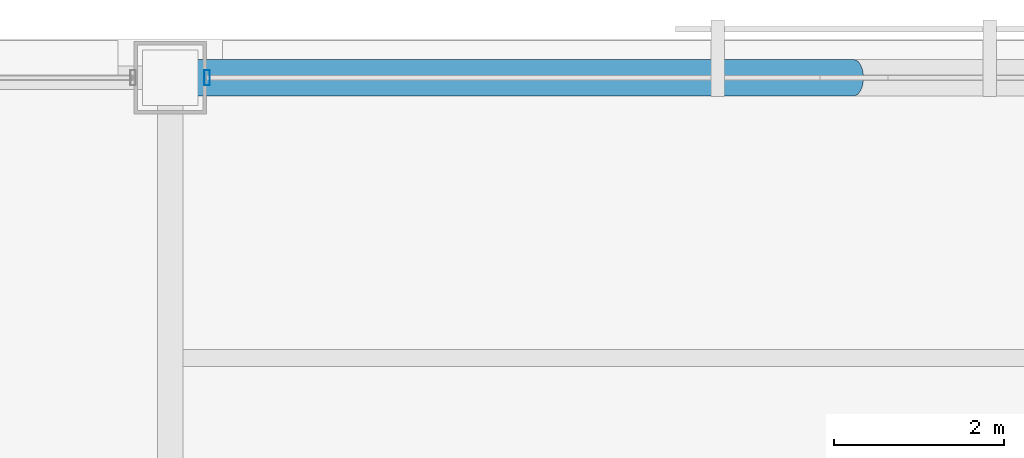
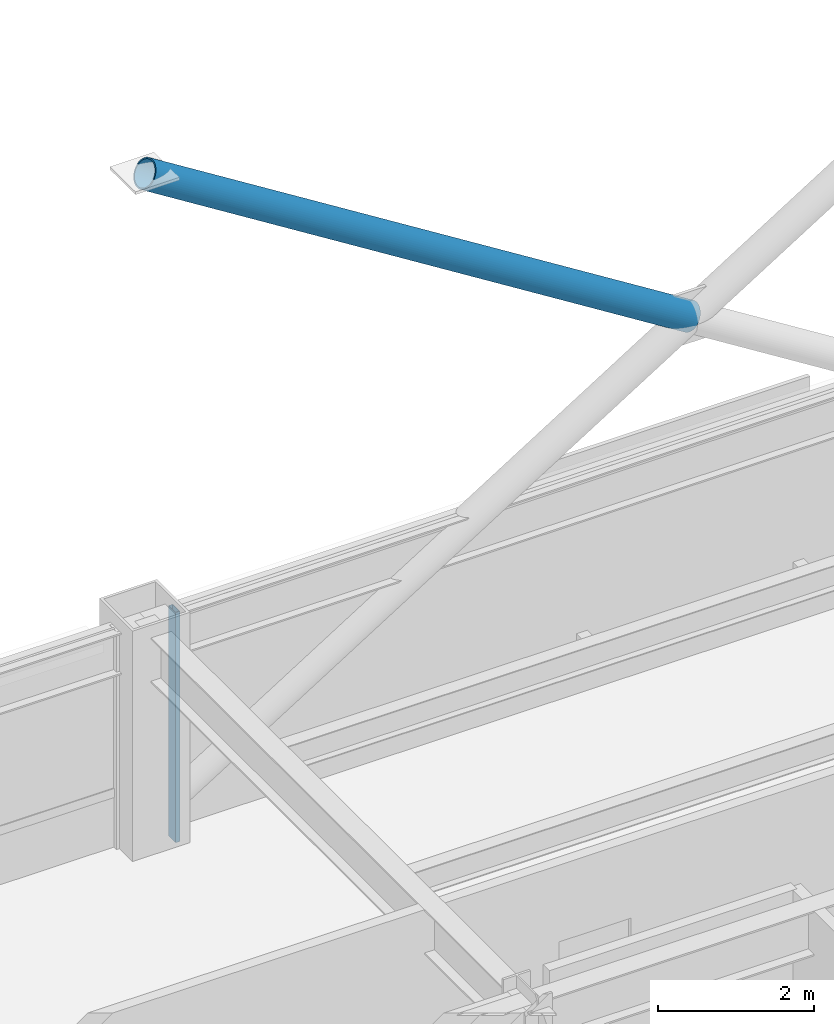
# One storey, part 23 of 34: 2 members, 1 element without a shape of its own.
"""IFC4 building model written with IfcOpenShell, lengths in metres."""

from ifc_helpers import new_model, si_unit, direction, frame, origin, origin_2d, place, context, subcontext, project, spatial, hollow_rectangle, hollow_circle, extrude, material, layer, layer_set, material_profile, profile_set, type_object, element, aggregate, save


model = new_model("IFC4")

# Units and contexts
model_context = context("Model", 3, precision=1e-05, world=origin(), true_north=direction((0.0, 1.0)))
body_context = subcontext(model_context, "Body", "Model", "MODEL_VIEW")
ifc_project = project(units=[si_unit("LENGTHUNIT", "METRE"), si_unit("AREAUNIT", "SQUARE_METRE"), si_unit("VOLUMEUNIT", "CUBIC_METRE"), si_unit("PLANEANGLEUNIT", "RADIAN"), si_unit("MASSUNIT", "GRAM", prefix="KILO")], contexts=[model_context])

# Site, building, storey
site_placement = place(None, origin())
site = spatial("IfcSite", under=ifc_project, at=site_placement, CompositionType="ELEMENT")
building_placement = place(site_placement, origin())
building = spatial("IfcBuilding", under=site, at=building_placement, Name="Brelmoor Portico Tower", CompositionType="ELEMENT")
storey_placement = place(building_placement, frame((0.0, 0.0, 99.0)))
storey = spatial("IfcBuildingStorey", under=building, at=storey_placement, Name="L25", CompositionType="ELEMENT", Elevation=99.0)

# Member
ifc_material_1 = material(Name="Steel Q355B", Category="steel")
ifc_material_profile_1 = material_profile(ifc_material_1, hollow_circle(Radius=0.212890625, WallThickness=0.02001953125, at=origin_2d()), Name="CHS 426x20")
ifc_profile_set_1 = profile_set([ifc_material_profile_1], Name="Steel Q355B")
member_type_1 = type_object("IfcMemberType", Name="MB-BELT-DIAG1", PredefinedType="BRACE", material=ifc_profile_set_1)
member_1_placement = place(storey_placement, frame((0.0, 19.550048828125, 5.300048828125), z_axis=(-0.847109476093, 0.0, 0.531418418493), x_axis=(0.0, -1.0, 0.0)))
element("IfcMember", 1, at=member_1_placement, inside=storey, type_object=member_type_1, Name="L25 Split Mega-X Brace 052B2", PredefinedType="BRACE", context=body_context, shape_type="SweptSolid", body=[
    extrude(hollow_circle(Radius=0.212890625, WallThickness=0.02001953125, at=origin_2d()), origin(), (0.0, 0.0, 1.0), 9.5029296875),
])

# Curtain wall, member
ifc_material_2 = material(Name="Anodised Aluminium Alloy 6063-T6", Category="aluminium")
ifc_layer = layer(ifc_material_2, 0.179931640625)
ifc_layer_set = layer_set([ifc_layer], Name="Anodised Aluminium Alloy 6063-T6")
curtain_wall_type = type_object("IfcCurtainWallType", Name="CW-TOWER-Z2-XB", PredefinedType="NOTDEFINED", material=ifc_layer_set)
curtain_wall_placement = place(storey_placement, origin())
curtain_wall = element("IfcCurtainWall", 2, at=curtain_wall_placement, inside=storey, type_object=curtain_wall_type, Name="L25 Curtain Wall CW-L25-02-3", PredefinedType="NOTDEFINED")
ifc_material_profile_2 = material_profile(ifc_material_2, hollow_rectangle(XDim=0.06494140625, YDim=0.179931640625, WallThickness=0.00390625, at=origin_2d()), Name="ALU MULLION 65x180")
ifc_profile_set_2 = profile_set([ifc_material_profile_2], Name="Anodised Aluminium Alloy 6063-T6")
member_type_2 = type_object("IfcMemberType", Name="MB-CW-MULL-180", PredefinedType="MULLION", material=ifc_profile_set_2)
member_2_placement = place(storey_placement, frame((-7.614990234375, 19.550048828125, -0.199951171875), z_axis=(0.0, 0.0, 1.0), x_axis=(1.0, 0.0, 0.0)))
member_2 = element("IfcMember", 3, at=member_2_placement, type_object=member_type_2, Name="CW-L25-02-3 Mullion 00", PredefinedType="MULLION", context=body_context, shape_type="SweptSolid", body=[
    extrude(hollow_rectangle(XDim=0.06494140625, YDim=0.179931640625, WallThickness=0.00390625, at=origin_2d()), origin(), (0.0, 0.0, 1.0), 3.599853515625),
])
aggregate(curtain_wall, [member_2])

save(model, "model.ifc")
